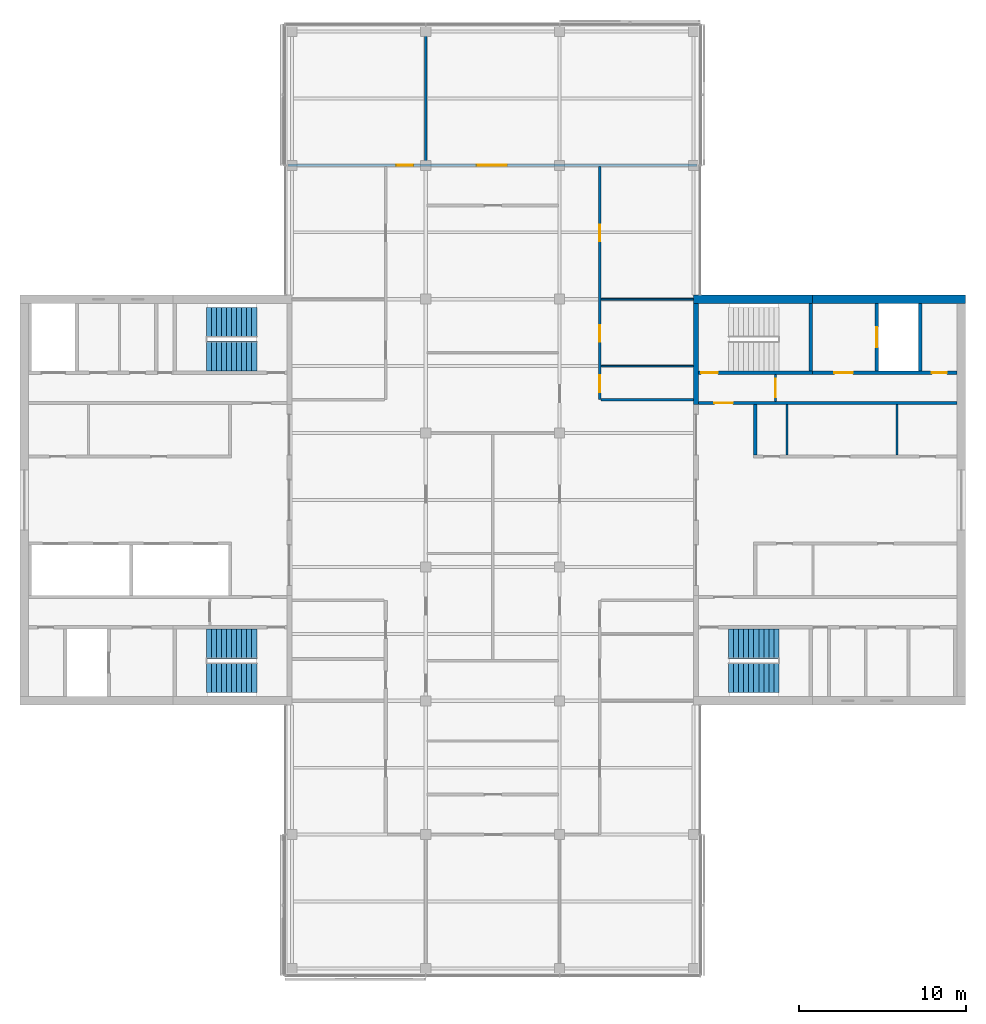
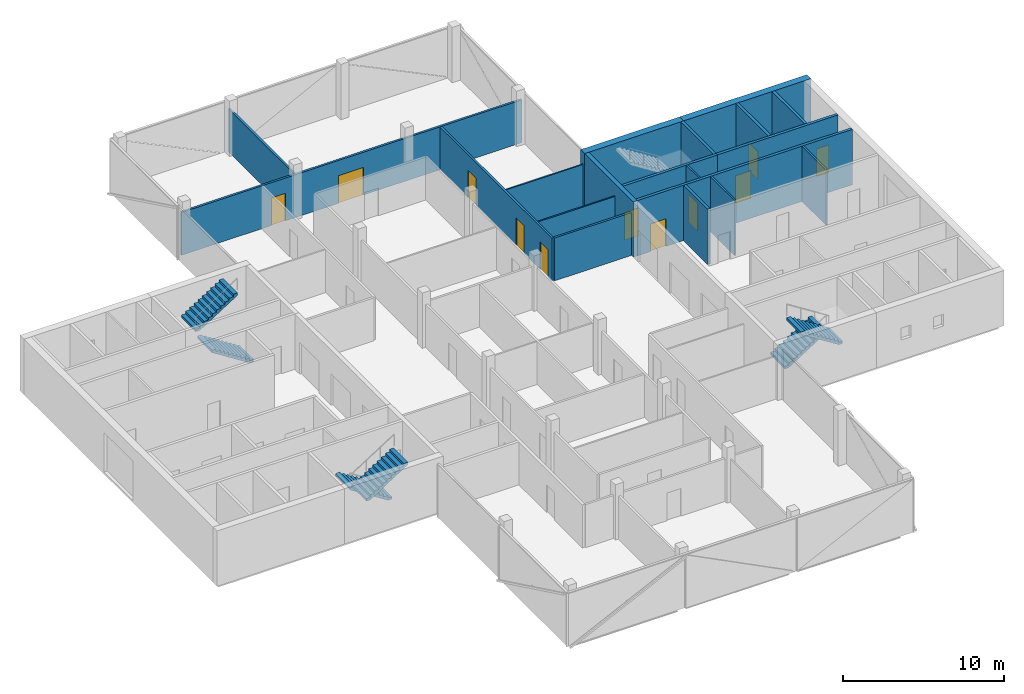
# One storey, part 12 of 16: 19 walls, 11 doors, 6 stair flights, 11 openings, 3 elements without a shape of their own.
"""IFC4 building model written with IfcOpenShell, lengths in metres."""

from ifc_helpers import new_model, si_unit, direction, frame, frame_2d, origin, place, context, subcontext, project, spatial, polyline, rectangle, outline, extrude, material, layer, layer_set, constituent, constituent_set, type_object, element, fill, aggregate, save


model = new_model("IFC4")

# Units and contexts
model_context = context("Model", 3, precision=1e-05, world=origin(), true_north=direction((0.0, 1.0)))
body_context = subcontext(model_context, "Body", "Model", "MODEL_VIEW")
ifc_project = project(units=[si_unit("LENGTHUNIT", "METRE"), si_unit("AREAUNIT", "SQUARE_METRE"), si_unit("VOLUMEUNIT", "CUBIC_METRE"), si_unit("PLANEANGLEUNIT", "RADIAN"), si_unit("MASSUNIT", "GRAM", prefix="KILO")], contexts=[model_context])

# Site, building, storey
site_placement = place(None, origin())
site = spatial("IfcSite", under=ifc_project, at=site_placement, CompositionType="ELEMENT")
building_placement = place(site_placement, origin())
building = spatial("IfcBuilding", under=site, at=building_placement, Name="Crosswind Convention Tower", CompositionType="ELEMENT")
storey_placement = place(building_placement, frame((0.0, 0.0, 299.699951171875)))
storey = spatial("IfcBuildingStorey", under=building, at=storey_placement, Name="L65", CompositionType="ELEMENT", Elevation=299.699951171875)

# Walls
ifc_material_1 = material(Name="Concrete C50/60", Category="concrete")
ifc_layer_1 = layer(ifc_material_1, 0.300048828125)
ifc_layer_set_1 = layer_set([ifc_layer_1], Name="Concrete C50/60")
wall_type_1 = type_object("IfcWallType", Name="Concrete inner core wall 300", PredefinedType="SHEAR", material=ifc_layer_set_1)
wall_1_placement = place(storey_placement, frame((137.14990234375, 105.699951171875, 0.0), z_axis=(0.0, 0.0, 1.0), x_axis=(0.0, 1.0, 0.0)))
element("IfcWall", 1, at=wall_1_placement, inside=storey, type_object=wall_type_1, Name="Wall EP E L65", PredefinedType="SHEAR", context=body_context, shape_type="SweptSolid", body=[
    extrude(rectangle(XDim=6.050048828125, YDim=0.300048828125, at=frame_2d((3.02490234375, 0.0))), origin(), (0.0, 0.0, 1.0), 4.199951171875),
])
ifc_layer_2 = layer(ifc_material_1, 0.199951171875)
ifc_layer_set_2 = layer_set([ifc_layer_2], Name="Concrete C50/60")
wall_type_2 = type_object("IfcWallType", Name="Concrete shaft and stair wall 200", PredefinedType="SHEAR", material=ifc_layer_set_2)
wall_2_placement = place(storey_placement, frame((140.699951171875, 102.699951171875, 0.0), z_axis=(0.0, 0.0, 1.0), x_axis=(0.0, 1.0, 0.0)))
element("IfcWall", 2, at=wall_2_placement, inside=storey, type_object=wall_type_2, Name="Wall RPEND E L65", PredefinedType="SHEAR", context=body_context, shape_type="SweptSolid", body=[
    extrude(rectangle(XDim=3.0, YDim=0.199951171875, at=frame_2d((1.5, 0.0))), origin(), (0.0, 0.0, 1.0), 4.199951171875),
])

# Wall, opening, door
wall_3_placement = place(storey_placement, frame((137.300048828125, 105.800048828125, 0.0), z_axis=(0.0, 0.0, 1.0), x_axis=(1.0, 0.0, 0.0)))
wall_3 = element("IfcWall", 3, at=wall_3_placement, inside=storey, type_object=wall_type_2, Name="Wall HP E L65", PredefinedType="SHEAR", context=body_context, shape_type="SweptSolid", body=[
    extrude(rectangle(XDim=15.449951171875, YDim=0.199951171875, at=frame_2d((7.72509765625, 0.0))), origin(), (0.0, 0.0, 1.0), 4.199951171875),
])
opening_1_placement = place(wall_3_placement, frame((0.949951171875, 0.0, 0.0)))
opening_1 = element("IfcOpeningElement", 4, at=opening_1_placement, cuts=wall_3, Name="Opening D104", PredefinedType="OPENING", context=body_context, shape_type="SweptSolid", body=[
    extrude(rectangle(XDim=1.10009765625, YDim=2.10009765625, at=frame_2d((0.550048828125, 1.050048828125))), frame((0.0, 0.10986328125, 0.0), z_axis=(0.0, -1.0, 0.0), x_axis=(1.0, 0.0, 0.0)), (0.0, 0.0, 1.0), 0.219970703125),
])
ifc_material_2 = material(Name="Steel fire door", Category="steel")
door_type_1 = type_object("IfcDoorType", Name="Fire-rated single door 1100x2100", OperationType="NOTDEFINED", PredefinedType="DOOR", material=ifc_material_2)
door_1_placement = place(opening_1_placement, origin())
door_1 = element("IfcDoor", 5, at=door_1_placement, inside=storey, type_object=door_type_1, Name="Corridor door L65", ObjectType="D104", OperationType="SINGLE_SWING_LEFT", OverallHeight=2.10009765625, OverallWidth=1.10009765625, PredefinedType="DOOR", context=body_context, shape_type="SweptSolid", body=[
    extrude(rectangle(XDim=1.10009765625, YDim=2.10009765625, at=frame_2d((0.550048828125, 1.050048828125))), frame((0.0, 0.02490234375, 0.0), z_axis=(0.0, -1.0, 0.0), x_axis=(1.0, 0.0, 0.0)), (0.0, 0.0, 1.0), 0.050048828125),
])
fill(opening_1, door_1)

# Wall
wall_4_placement = place(storey_placement, frame((144.0, 107.699951171875, 0.0), z_axis=(0.0, 0.0, 1.0), x_axis=(0.0, 1.0, 0.0)))
element("IfcWall", 6, at=wall_4_placement, inside=storey, type_object=wall_type_2, Name="Wall PSE E L65", PredefinedType="SHEAR", context=body_context, shape_type="SweptSolid", body=[
    extrude(rectangle(XDim=4.050048828125, YDim=0.199951171875, at=frame_2d((2.02490234375, 0.0))), origin(), (0.0, 0.0, 1.0), 4.199951171875),
])

# Wall, opening, door
wall_5_placement = place(storey_placement, frame((147.949951171875, 107.699951171875, 0.0), z_axis=(0.0, 0.0, 1.0), x_axis=(0.0, 1.0, 0.0)))
wall_5 = element("IfcWall", 7, at=wall_5_placement, inside=storey, type_object=wall_type_2, Name="Wall PFLW E L65", PredefinedType="SHEAR", context=body_context, shape_type="SweptSolid", body=[
    extrude(rectangle(XDim=4.050048828125, YDim=0.199951171875, at=frame_2d((2.02490234375, 0.0))), origin(), (0.0, 0.0, 1.0), 4.199951171875),
])
opening_2_placement = place(wall_5_placement, frame((1.425048828125, 0.0, 0.0)))
opening_2 = element("IfcOpeningElement", 8, at=opening_2_placement, cuts=wall_5, Name="Opening LD1", PredefinedType="OPENING", context=body_context, shape_type="SweptSolid", body=[
    extrude(rectangle(XDim=1.199951171875, YDim=2.10009765625, at=frame_2d((0.60009765625, 1.050048828125))), frame((0.0, 0.10986328125, 0.0), z_axis=(0.0, -1.0, 0.0), x_axis=(1.0, 0.0, 0.0)), (0.0, 0.0, 1.0), 0.219970703125),
])
ifc_material_3 = material(Name="Stainless steel", Category="steel")
door_type_2 = type_object("IfcDoorType", Name="Lift landing door 1200x2100", OperationType="DOUBLE_DOOR_SLIDING", PredefinedType="DOOR", material=ifc_material_3)
door_2_placement = place(opening_2_placement, origin())
door_2 = element("IfcDoor", 9, at=door_2_placement, inside=storey, type_object=door_type_2, Name="Landing door FF1 L65", ObjectType="LD1", OperationType="DOUBLE_DOOR_SLIDING", OverallHeight=2.10009765625, OverallWidth=1.199951171875, PredefinedType="DOOR", context=body_context, shape_type="SweptSolid", body=[
    extrude(rectangle(XDim=1.199951171875, YDim=2.10009765625, at=frame_2d((0.60009765625, 1.050048828125))), frame((0.0, 0.02490234375, 0.0), z_axis=(0.0, -1.0, 0.0), x_axis=(1.0, 0.0, 0.0)), (0.0, 0.0, 1.0), 0.050048828125),
])
fill(opening_2, door_2)

# Wall
wall_6_placement = place(storey_placement, frame((150.550048828125, 107.699951171875, 0.0), z_axis=(0.0, 0.0, 1.0), x_axis=(0.0, 1.0, 0.0)))
element("IfcWall", 10, at=wall_6_placement, inside=storey, type_object=wall_type_2, Name="Wall PFSE E L65", PredefinedType="SHEAR", context=body_context, shape_type="SweptSolid", body=[
    extrude(rectangle(XDim=4.050048828125, YDim=0.199951171875, at=frame_2d((2.02490234375, 0.0))), origin(), (0.0, 0.0, 1.0), 4.199951171875),
])

# Wall, opening, door
wall_7_placement = place(storey_placement, frame((137.300048828125, 107.60009765625, 0.0), z_axis=(0.0, 0.0, 1.0), x_axis=(1.0, 0.0, 0.0)))
wall_7 = element("IfcWall", 11, at=wall_7_placement, inside=storey, type_object=wall_type_2, Name="Wall PCW E L65", PredefinedType="SHEAR", context=body_context, shape_type="SweptSolid", body=[
    extrude(rectangle(XDim=6.800048828125, YDim=0.199951171875, at=frame_2d((3.39990234375, 0.0))), origin(), (0.0, 0.0, 1.0), 4.199951171875),
])
opening_3_placement = place(wall_7_placement, frame((0.14990234375, 0.0, 0.0)))
opening_3 = element("IfcOpeningElement", 12, at=opening_3_placement, cuts=wall_7, Name="Opening D103", PredefinedType="OPENING", context=body_context, shape_type="SweptSolid", body=[
    extrude(rectangle(XDim=1.0, YDim=2.10009765625, at=frame_2d((0.5, 1.050048828125))), frame((0.0, 0.10986328125, 0.0), z_axis=(0.0, -1.0, 0.0), x_axis=(1.0, 0.0, 0.0)), (0.0, 0.0, 1.0), 0.219970703125),
])
door_type_3 = type_object("IfcDoorType", Name="Fire-rated single door 1000x2100", OperationType="NOTDEFINED", PredefinedType="DOOR", material=ifc_material_2)
door_3_placement = place(opening_3_placement, origin())
door_3 = element("IfcDoor", 13, at=door_3_placement, inside=storey, type_object=door_type_3, Name="Stair ST1 door L65", ObjectType="D103", OperationType="SINGLE_SWING_LEFT", OverallHeight=2.10009765625, OverallWidth=1.0, PredefinedType="DOOR", context=body_context, shape_type="SweptSolid", body=[
    extrude(rectangle(XDim=1.0, YDim=2.10009765625, at=frame_2d((0.5, 1.050048828125))), frame((0.0, 0.02490234375, 0.0), z_axis=(0.0, -1.0, 0.0), x_axis=(1.0, 0.0, 0.0)), (0.0, 0.0, 1.0), 0.050048828125),
])
fill(opening_3, door_3)

# Wall, openings, doors
wall_8_placement = place(storey_placement, frame((144.10009765625, 107.60009765625, 0.0), z_axis=(0.0, 0.0, 1.0), x_axis=(1.0, 0.0, 0.0)))
wall_8 = element("IfcWall", 14, at=wall_8_placement, inside=storey, type_object=wall_type_2, Name="Wall PCX E L65", PredefinedType="SHEAR", context=body_context, shape_type="SweptSolid", body=[
    extrude(rectangle(XDim=8.64990234375, YDim=0.199951171875, at=frame_2d((4.324951171875, 0.0))), origin(), (0.0, 0.0, 1.0), 4.199951171875),
])
opening_4_placement = place(wall_8_placement, frame((1.324951171875, 0.0, 0.0)))
opening_4 = element("IfcOpeningElement", 15, at=opening_4_placement, cuts=wall_8, Name="Opening D104", PredefinedType="OPENING", context=body_context, shape_type="SweptSolid", body=[
    extrude(rectangle(XDim=1.10009765625, YDim=2.10009765625, at=frame_2d((0.550048828125, 1.050048828125))), frame((0.0, 0.10986328125, 0.0), z_axis=(0.0, -1.0, 0.0), x_axis=(1.0, 0.0, 0.0)), (0.0, 0.0, 1.0), 0.219970703125),
])
opening_5_placement = place(wall_8_placement, frame((7.14990234375, 0.0, 0.0)))
opening_5 = element("IfcOpeningElement", 16, at=opening_5_placement, cuts=wall_8, Name="Opening D106", PredefinedType="OPENING", context=body_context, shape_type="SweptSolid", body=[
    extrude(rectangle(XDim=0.89990234375, YDim=2.10009765625, at=frame_2d((0.449951171875, 1.050048828125))), frame((0.0, 0.10986328125, 0.0), z_axis=(0.0, -1.0, 0.0), x_axis=(1.0, 0.0, 0.0)), (0.0, 0.0, 1.0), 0.219970703125),
])
door_4_placement = place(opening_4_placement, origin())
door_4 = element("IfcDoor", 17, at=door_4_placement, inside=storey, type_object=door_type_1, Name="Fire-fighting lobby FF1 door L65", ObjectType="D104", OperationType="SINGLE_SWING_RIGHT", OverallHeight=2.10009765625, OverallWidth=1.10009765625, PredefinedType="DOOR", context=body_context, shape_type="SweptSolid", body=[
    extrude(rectangle(XDim=1.10009765625, YDim=2.10009765625, at=frame_2d((0.550048828125, 1.050048828125))), frame((0.0, 0.02490234375, 0.0), z_axis=(0.0, -1.0, 0.0), x_axis=(1.0, 0.0, 0.0)), (0.0, 0.0, 1.0), 0.050048828125),
])
fill(opening_4, door_4)
ifc_material_4 = material(Name="Timber door", Category="wood")
door_type_4 = type_object("IfcDoorType", Name="Single leaf door 900x2100", OperationType="NOTDEFINED", PredefinedType="DOOR", material=ifc_material_4)
door_5_placement = place(opening_5_placement, origin())
door_5 = element("IfcDoor", 18, at=door_5_placement, inside=storey, type_object=door_type_4, Name="Door to cleaners' store L65", ObjectType="D106", OperationType="SINGLE_SWING_RIGHT", OverallHeight=2.10009765625, OverallWidth=0.89990234375, PredefinedType="DOOR", context=body_context, shape_type="SweptSolid", body=[
    extrude(rectangle(XDim=0.89990234375, YDim=2.10009765625, at=frame_2d((0.449951171875, 1.050048828125))), frame((0.0, 0.02490234375, 0.0), z_axis=(0.0, -1.0, 0.0), x_axis=(1.0, 0.0, 0.0)), (0.0, 0.0, 1.0), 0.050048828125),
])
fill(opening_5, door_5)

# Walls
ifc_material_5 = material(Name="Gypsum plasterboard partition", Category="gypsum")
ifc_layer_3 = layer(ifc_material_5, 0.125)
ifc_layer_set_3 = layer_set([ifc_layer_3], Name="Drywall partition wall 125")
wall_type_3 = type_object("IfcWallType", Name="Drywall partition wall 125", PredefinedType="PARTITIONING", material=ifc_layer_set_3)
for number, where, z_axis, x_axis, name in (
    (19, (142.592529296875, 102.699951171875, 0.0), (0.0, 0.0, 1.0), (0.0, 1.0, 0.0), "Wall RPP1 E L65"),
    (20, (149.1650390625, 102.699951171875, 0.0), (0.0, 0.0, 1.0), (0.0, 1.0, 0.0), "Wall RPP2 E L65"),
):
    element("IfcWall", number, at=place(storey_placement, frame(where, z_axis=z_axis, x_axis=x_axis)), inside=storey, type_object=wall_type_3, Name=name, PredefinedType="PARTITIONING", context=body_context, shape_type="SweptSolid", body=[
        extrude(rectangle(XDim=3.0, YDim=0.125, at=frame_2d((1.5, 0.0))), origin(), (0.0, 0.0, 1.0), 4.199951171875),
    ])

# Wall, opening, door
wall_9_placement = place(storey_placement, frame((141.89990234375, 105.89990234375, 0.0), z_axis=(0.0, 0.0, 1.0), x_axis=(0.0, 1.0, 0.0)))
wall_9 = element("IfcWall", 21, at=wall_9_placement, inside=storey, type_object=wall_type_3, Name="Wall PXC1 E L65", PredefinedType="PARTITIONING", context=body_context, shape_type="SweptSolid", body=[
    extrude(rectangle(XDim=1.60009765625, YDim=0.125, at=frame_2d((0.800048828125, 0.0))), origin(), (0.0, 0.0, 1.0), 4.199951171875),
])
opening_6_placement = place(wall_9_placement, frame((0.25, 0.0, 0.0)))
opening_6 = element("IfcOpeningElement", 22, at=opening_6_placement, cuts=wall_9, Name="Opening D104", PredefinedType="OPENING", context=body_context, shape_type="SweptSolid", body=[
    extrude(rectangle(XDim=1.10009765625, YDim=2.10009765625, at=frame_2d((0.550048828125, 1.050048828125))), frame((0.0, 0.072509765625, 0.0), z_axis=(0.0, -1.0, 0.0), x_axis=(1.0, 0.0, 0.0)), (0.0, 0.0, 1.0), 0.14501953125),
])
door_6_placement = place(opening_6_placement, origin())
door_6 = element("IfcDoor", 23, at=door_6_placement, inside=storey, type_object=door_type_1, Name="Corridor smoke door L65", ObjectType="D104", OperationType="SINGLE_SWING_RIGHT", OverallHeight=2.10009765625, OverallWidth=1.10009765625, PredefinedType="DOOR", context=body_context, shape_type="SweptSolid", body=[
    extrude(rectangle(XDim=1.10009765625, YDim=2.10009765625, at=frame_2d((0.550048828125, 1.050048828125))), frame((0.0, 0.02490234375, 0.0), z_axis=(0.0, -1.0, 0.0), x_axis=(1.0, 0.0, 0.0)), (0.0, 0.0, 1.0), 0.050048828125),
])
fill(opening_6, door_6)

# Walls
ifc_material_6 = material(Name="Plasterboard partition", Category="gypsum")
ifc_layer_4 = layer(ifc_material_6, 0.10009765625)
ifc_layer_set_4 = layer_set([ifc_layer_4], Name="PARTITION 100 METAL STUD")
wall_type_4 = type_object("IfcWallType", Name="PARTITION 100 METAL STUD", PredefinedType="PARTITIONING", material=ifc_layer_set_4)
for number, where, z_axis, x_axis, name in (
    (24, (131.47509765625, 108.0, 0.0), (0.0, 0.0, 1.0), (1.0, 0.0, 0.0), "Partition wall WT40"),
    (25, (131.47509765625, 112.0, 0.0), (0.0, 0.0, 1.0), (1.0, 0.0, 0.0), "Partition wall WT40"),
):
    element("IfcWall", number, at=place(storey_placement, frame(where, z_axis=z_axis, x_axis=x_axis)), inside=storey, type_object=wall_type_4, Name=name, PredefinedType="PARTITIONING", context=body_context, shape_type="SweptSolid", body=[
        extrude(rectangle(XDim=5.52490234375, YDim=0.10009765625, at=frame_2d((2.762451171875, 0.0))), origin(), (0.0, 0.0, 1.0), 3.25537109375),
    ])
ifc_material_7 = material(Name="Fire-board partition with mineral wool", Category="gypsum")
ifc_layer_5 = layer(ifc_material_7, 0.14990234375)
ifc_layer_set_5 = layer_set([ifc_layer_5], Name="TENANCY WALL 150 TWO-HOUR BOARD")
wall_type_5 = type_object("IfcWallType", Name="TENANCY WALL 150 TWO-HOUR BOARD", PredefinedType="PARTITIONING", material=ifc_layer_set_5)
wall_10_placement = place(storey_placement, frame((121.0, 120.074951171875, 0.0), z_axis=(0.0, 0.0, 1.0), x_axis=(0.0, 1.0, 0.0)))
element("IfcWall", 26, at=wall_10_placement, inside=storey, type_object=wall_type_5, Name="Tenancy wall WT41", PredefinedType="PARTITIONING", context=body_context, shape_type="SweptSolid", body=[
    extrude(rectangle(XDim=8.14501953125, YDim=0.14990234375, at=frame_2d((4.072509765625, 0.0))), origin(), (0.0, 0.0, 1.0), 3.25537109375),
])

# Wall, openings, doors
wall_11_placement = place(storey_placement, frame((131.39990234375, 106.0, 0.0), z_axis=(0.0, 0.0, 1.0), x_axis=(0.0, 1.0, 0.0)))
wall_11 = element("IfcWall", 27, at=wall_11_placement, inside=storey, type_object=wall_type_5, Name="Tenancy wall WT41", PredefinedType="PARTITIONING", context=body_context, shape_type="SweptSolid", body=[
    extrude(rectangle(XDim=13.925048828125, YDim=0.14990234375, at=frame_2d((6.96240234375, 0.0))), origin(), (0.0, 0.0, 1.0), 3.25537109375),
])
opening_7_placement = place(wall_11_placement, frame((0.449951171875, 0.0, 0.0)))
opening_7 = element("IfcOpeningElement", 28, at=opening_7_placement, cuts=wall_11, Name="Opening L65-50", PredefinedType="OPENING", context=body_context, shape_type="SweptSolid", body=[
    extrude(rectangle(XDim=1.0, YDim=2.10009765625, at=frame_2d((0.5, 1.050048828125))), frame((0.0, 0.0849609375, 0.0), z_axis=(0.0, -1.0, 0.0), x_axis=(1.0, 0.0, 0.0)), (0.0, 0.0, 1.0), 0.169921875),
])
opening_8_placement = place(wall_11_placement, frame((3.449951171875, 0.0, 0.0)))
opening_8 = element("IfcOpeningElement", 29, at=opening_8_placement, cuts=wall_11, Name="Opening L65-51", PredefinedType="OPENING", context=body_context, shape_type="SweptSolid", body=[
    extrude(rectangle(XDim=1.0, YDim=2.10009765625, at=frame_2d((0.5, 1.050048828125))), frame((0.0, 0.0849609375, 0.0), z_axis=(0.0, -1.0, 0.0), x_axis=(1.0, 0.0, 0.0)), (0.0, 0.0, 1.0), 0.169921875),
])
opening_9_placement = place(wall_11_placement, frame((9.449951171875, 0.0, 0.0)))
opening_9 = element("IfcOpeningElement", 30, at=opening_9_placement, cuts=wall_11, Name="Opening L65-52", PredefinedType="OPENING", context=body_context, shape_type="SweptSolid", body=[
    extrude(rectangle(XDim=1.0, YDim=2.10009765625, at=frame_2d((0.5, 1.050048828125))), frame((0.0, 0.0849609375, 0.0), z_axis=(0.0, -1.0, 0.0), x_axis=(1.0, 0.0, 0.0)), (0.0, 0.0, 1.0), 0.169921875),
])
ifc_material_8 = material(Name="Timber fire door", Category="wood")
door_type_5 = type_object("IfcDoorType", Name="TENANCY ENTRANCE DOOR 1000X2100 FD30S", OperationType="NOTDEFINED", PredefinedType="DOOR", material=ifc_material_8)
door_7_placement = place(opening_7_placement, frame((1.0, 0.0, 0.0), z_axis=(0.0, 0.0, 1.0), x_axis=(-1.0, 0.0, 0.0)))
door_7 = element("IfcDoor", 31, at=door_7_placement, inside=storey, type_object=door_type_5, Name="Door L65-50", ObjectType="D41", OperationType="SINGLE_SWING_RIGHT", OverallHeight=2.10009765625, OverallWidth=1.0, PredefinedType="DOOR", context=body_context, shape_type="SweptSolid", body=[
    extrude(rectangle(XDim=1.0, YDim=2.10009765625, at=frame_2d((0.5, 1.050048828125))), frame((0.0, 0.02490234375, 0.0), z_axis=(0.0, -1.0, 0.0), x_axis=(1.0, 0.0, 0.0)), (0.0, 0.0, 1.0), 0.050048828125),
])
fill(opening_7, door_7)
door_8_placement = place(opening_8_placement, frame((1.0, 0.0, 0.0), z_axis=(0.0, 0.0, 1.0), x_axis=(-1.0, 0.0, 0.0)))
door_8 = element("IfcDoor", 32, at=door_8_placement, inside=storey, type_object=door_type_5, Name="Door L65-51", ObjectType="D41", OperationType="SINGLE_SWING_RIGHT", OverallHeight=2.10009765625, OverallWidth=1.0, PredefinedType="DOOR", context=body_context, shape_type="SweptSolid", body=[
    extrude(rectangle(XDim=1.0, YDim=2.10009765625, at=frame_2d((0.5, 1.050048828125))), frame((0.0, 0.02490234375, 0.0), z_axis=(0.0, -1.0, 0.0), x_axis=(1.0, 0.0, 0.0)), (0.0, 0.0, 1.0), 0.050048828125),
])
fill(opening_8, door_8)
door_9_placement = place(opening_9_placement, frame((1.0, 0.0, 0.0), z_axis=(0.0, 0.0, 1.0), x_axis=(-1.0, 0.0, 0.0)))
door_9 = element("IfcDoor", 33, at=door_9_placement, inside=storey, type_object=door_type_5, Name="Door L65-52", ObjectType="D41", OperationType="SINGLE_SWING_RIGHT", OverallHeight=2.10009765625, OverallWidth=1.0, PredefinedType="DOOR", context=body_context, shape_type="SweptSolid", body=[
    extrude(rectangle(XDim=1.0, YDim=2.10009765625, at=frame_2d((0.5, 1.050048828125))), frame((0.0, 0.02490234375, 0.0), z_axis=(0.0, -1.0, 0.0), x_axis=(1.0, 0.0, 0.0)), (0.0, 0.0, 1.0), 0.050048828125),
])
fill(opening_9, door_9)

# Wall
wall_12_placement = place(storey_placement, frame((131.47509765625, 106.0, 0.0), z_axis=(0.0, 0.0, 1.0), x_axis=(1.0, 0.0, 0.0)))
element("IfcWall", 34, at=wall_12_placement, inside=storey, type_object=wall_type_5, Name="Tenancy wall WT41", PredefinedType="PARTITIONING", context=body_context, shape_type="SweptSolid", body=[
    extrude(rectangle(XDim=5.52490234375, YDim=0.14990234375, at=frame_2d((2.762451171875, 0.0))), origin(), (0.0, 0.0, 1.0), 3.25537109375),
])

# Wall, openings, doors
wall_13_placement = place(storey_placement, frame((112.780029296875, 120.0, 0.0), z_axis=(0.0, 0.0, 1.0), x_axis=(1.0, 0.0, 0.0)))
wall_13 = element("IfcWall", 35, at=wall_13_placement, inside=storey, type_object=wall_type_5, Name="Tenancy wall WT41", PredefinedType="PARTITIONING", context=body_context, shape_type="SweptSolid", body=[
    extrude(rectangle(XDim=24.43994140625, YDim=0.14990234375, at=frame_2d((12.219970703125, 0.0))), origin(), (0.0, 0.0, 1.0), 3.25537109375),
])
opening_10_placement = place(wall_13_placement, frame((6.469970703125, 0.0, 0.0)))
opening_10 = element("IfcOpeningElement", 36, at=opening_10_placement, cuts=wall_13, Name="Opening L65-61", PredefinedType="OPENING", context=body_context, shape_type="SweptSolid", body=[
    extrude(rectangle(XDim=1.0, YDim=2.10009765625, at=frame_2d((0.5, 1.050048828125))), frame((0.0, 0.0849609375, 0.0), z_axis=(0.0, -1.0, 0.0), x_axis=(1.0, 0.0, 0.0)), (0.0, 0.0, 1.0), 0.169921875),
])
opening_11_placement = place(wall_13_placement, frame((11.27001953125, 0.0, 0.0)))
opening_11 = element("IfcOpeningElement", 37, at=opening_11_placement, cuts=wall_13, Name="Opening L65-62", PredefinedType="OPENING", context=body_context, shape_type="SweptSolid", body=[
    extrude(rectangle(XDim=1.800048828125, YDim=2.10009765625, at=frame_2d((0.89990234375, 1.050048828125))), frame((0.0, 0.0849609375, 0.0), z_axis=(0.0, -1.0, 0.0), x_axis=(1.0, 0.0, 0.0)), (0.0, 0.0, 1.0), 0.169921875),
])
door_10_placement = place(opening_10_placement, origin())
door_10 = element("IfcDoor", 38, at=door_10_placement, inside=storey, type_object=door_type_5, Name="Door L65-61", ObjectType="D41", OperationType="SINGLE_SWING_RIGHT", OverallHeight=2.10009765625, OverallWidth=1.0, PredefinedType="DOOR", context=body_context, shape_type="SweptSolid", body=[
    extrude(rectangle(XDim=1.0, YDim=2.10009765625, at=frame_2d((0.5, 1.050048828125))), frame((0.0, 0.02490234375, 0.0), z_axis=(0.0, -1.0, 0.0), x_axis=(1.0, 0.0, 0.0)), (0.0, 0.0, 1.0), 0.050048828125),
])
fill(opening_10, door_10)
door_type_6 = type_object("IfcDoorType", Name="TENANCY ENTRANCE DOUBLE DOOR 1800X2100 FD30S", OperationType="DOUBLE_DOOR_SINGLE_SWING", PredefinedType="DOOR", material=ifc_material_8)
door_11_placement = place(opening_11_placement, origin())
door_11 = element("IfcDoor", 39, at=door_11_placement, inside=storey, type_object=door_type_6, Name="Door L65-62", ObjectType="D42", OperationType="DOUBLE_DOOR_SINGLE_SWING", OverallHeight=2.10009765625, OverallWidth=1.800048828125, PredefinedType="DOOR", context=body_context, shape_type="SweptSolid", body=[
    extrude(rectangle(XDim=1.800048828125, YDim=2.10009765625, at=frame_2d((0.89990234375, 1.050048828125))), frame((0.0, 0.02490234375, 0.0), z_axis=(0.0, -1.0, 0.0), x_axis=(1.0, 0.0, 0.0)), (0.0, 0.0, 1.0), 0.050048828125),
])
fill(opening_11, door_11)

# Walls
ifc_material_9 = material(Name="Concrete C60/75", Category="concrete")
ifc_constituent_1 = constituent(ifc_material_9, Name="Structure")
ifc_material_10 = material(Name="Terracotta rainscreen", Category="ceramic")
ifc_constituent_2 = constituent(ifc_material_10, Name="Facing")
ifc_constituent_set = constituent_set(constituents=[ifc_constituent_1, ifc_constituent_2], Name="Concrete C60/75, Terracotta rainscreen")
wall_type_6 = type_object("IfcWallType", Name="Terracotta rainscreen on concrete core wall 500", PredefinedType="SHEAR", material=ifc_constituent_set)
wall_14_placement = place(storey_placement, frame((137.0, 112.0, 0.0), z_axis=(0.0, 0.0, 1.0), x_axis=(1.0, 0.0, 0.0)))
element("IfcWall", 40, at=wall_14_placement, inside=storey, type_object=wall_type_6, Name="Wall N1 E L65", PredefinedType="SHEAR", context=body_context, shape_type="SweptSolid", body=[
    extrude(rectangle(XDim=7.10009765625, YDim=0.5, at=frame_2d((3.550048828125, 0.0))), origin(), (0.0, 0.0, 1.0), 4.199951171875),
])
wall_15_placement = place(storey_placement, frame((144.10009765625, 112.0, 0.0), z_axis=(0.0, 0.0, 1.0), x_axis=(1.0, 0.0, 0.0)))
element("IfcWall", 41, at=wall_15_placement, inside=storey, type_object=wall_type_6, Name="Wall N2 E L65", PredefinedType="SHEAR", context=body_context, shape_type="SweptSolid", body=[
    extrude(rectangle(XDim=9.14990234375, YDim=0.5, at=frame_2d((4.574951171875, 0.0))), origin(), (0.0, 0.0, 1.0), 4.199951171875),
])

# Stair, stair flights
ifc_material_11 = material(Name="Concrete C40/50", Category="concrete")
stair_type = type_object("IfcStairType", Name="Exit stair 1800 wide, 2 flights of 11 risers", PredefinedType="HALF_TURN_STAIR", material=ifc_material_11)
stair_1_placement = place(storey_placement, origin())
stair_1 = element("IfcStair", 42, at=stair_1_placement, inside=storey, type_object=stair_type, Name="Exit stair ST2 L65", ObjectType="ST5", PredefinedType="HALF_TURN_STAIR")
stair_flight_type = type_object("IfcStairFlightType", Name="Stair flight 1800 wide, 11 risers (SF4)", PredefinedType="STRAIGHT", material=ifc_material_11)
stair_flight_1_placement = place(storey_placement, frame((139.10009765625, 91.39990234375, 0.0), z_axis=(0.0, 0.0, 1.0), x_axis=(1.0, 0.0, 0.0)))
stair_flight_1 = element("IfcStairFlight", 43, at=stair_flight_1_placement, type_object=stair_flight_type, Name="ST2 flight 1", NumberOfRisers=11, NumberOfTreads=10, PredefinedType="STRAIGHT", RiserHeight=0.190909091, TreadLength=0.3, context=body_context, shape_type="SweptSolid", body=[
    extrude(outline(polyline([(0.0, 0.0), (0.0, 0.19091796875), (0.300048828125, 0.19091796875), (0.300048828125, 0.3818359375), (0.60009765625, 0.3818359375), (0.60009765625, 0.57275390625), (0.89990234375, 0.57275390625), (0.89990234375, 0.763671875), (1.199951171875, 0.763671875), (1.199951171875, 0.95458984375), (1.5, 0.95458984375), (1.5, 1.1455078125), (1.800048828125, 1.1455078125), (1.800048828125, 1.33642578125), (2.10009765625, 1.33642578125), (2.10009765625, 1.52734375), (2.39990234375, 1.52734375), (2.39990234375, 1.71826171875), (2.699951171875, 1.71826171875), (2.699951171875, 1.9091796875), (3.0, 1.9091796875), (3.0, 2.10009765625), (3.0, 1.7314453125), (0.279296875, 0.0), (0.0, 0.0)])), frame((0.0, 0.89990234375, 0.0), z_axis=(0.0, -1.0, 0.0), x_axis=(1.0, 0.0, 0.0)), (0.0, 0.0, 1.0), 1.800048828125),
])
stair_flight_2_placement = place(storey_placement, frame((142.10009765625, 89.39990234375, 2.10009765625), z_axis=(0.0, 0.0, 1.0), x_axis=(-1.0, 0.0, 0.0)))
stair_flight_2 = element("IfcStairFlight", 44, at=stair_flight_2_placement, type_object=stair_flight_type, Name="ST2 flight 2", NumberOfRisers=11, NumberOfTreads=10, PredefinedType="STRAIGHT", RiserHeight=0.190909091, TreadLength=0.3, context=body_context, shape_type="SweptSolid", body=[
    extrude(outline(polyline([(0.0, 0.0), (0.0, 0.19091796875), (0.300048828125, 0.19091796875), (0.300048828125, 0.3818359375), (0.60009765625, 0.3818359375), (0.60009765625, 0.57275390625), (0.89990234375, 0.57275390625), (0.89990234375, 0.763671875), (1.199951171875, 0.763671875), (1.199951171875, 0.95458984375), (1.5, 0.95458984375), (1.5, 1.1455078125), (1.800048828125, 1.1455078125), (1.800048828125, 1.33642578125), (2.10009765625, 1.33642578125), (2.10009765625, 1.52734375), (2.39990234375, 1.52734375), (2.39990234375, 1.71826171875), (2.699951171875, 1.71826171875), (2.699951171875, 1.9091796875), (3.0, 1.9091796875), (3.0, 2.10009765625), (3.0, 1.7314453125), (0.279296875, 0.0), (0.0, 0.0)])), frame((0.0, 0.89990234375, 0.0), z_axis=(0.0, -1.0, 0.0), x_axis=(1.0, 0.0, 0.0)), (0.0, 0.0, 1.0), 1.800048828125),
])
aggregate(stair_1, [stair_flight_1, stair_flight_2])

stair_2_placement = place(storey_placement, origin())
stair_2 = element("IfcStair", 45, at=stair_2_placement, inside=storey, type_object=stair_type, Name="Exit stair ST3 L65", ObjectType="ST5", PredefinedType="HALF_TURN_STAIR")
stair_flight_3_placement = place(storey_placement, frame((110.89990234375, 91.39990234375, 0.0), z_axis=(0.0, 0.0, 1.0), x_axis=(-1.0, 0.0, 0.0)))
stair_flight_3 = element("IfcStairFlight", 46, at=stair_flight_3_placement, type_object=stair_flight_type, Name="ST3 flight 1", NumberOfRisers=11, NumberOfTreads=10, PredefinedType="STRAIGHT", RiserHeight=0.190909091, TreadLength=0.3, context=body_context, shape_type="SweptSolid", body=[
    extrude(outline(polyline([(0.0, 0.0), (0.0, 0.19091796875), (0.300048828125, 0.19091796875), (0.300048828125, 0.3818359375), (0.60009765625, 0.3818359375), (0.60009765625, 0.57275390625), (0.89990234375, 0.57275390625), (0.89990234375, 0.763671875), (1.199951171875, 0.763671875), (1.199951171875, 0.95458984375), (1.5, 0.95458984375), (1.5, 1.1455078125), (1.800048828125, 1.1455078125), (1.800048828125, 1.33642578125), (2.10009765625, 1.33642578125), (2.10009765625, 1.52734375), (2.39990234375, 1.52734375), (2.39990234375, 1.71826171875), (2.699951171875, 1.71826171875), (2.699951171875, 1.9091796875), (3.0, 1.9091796875), (3.0, 2.10009765625), (3.0, 1.7314453125), (0.279296875, 0.0), (0.0, 0.0)])), frame((0.0, 0.89990234375, 0.0), z_axis=(0.0, -1.0, 0.0), x_axis=(1.0, 0.0, 0.0)), (0.0, 0.0, 1.0), 1.800048828125),
])
stair_flight_4_placement = place(storey_placement, frame((107.89990234375, 89.39990234375, 2.10009765625), z_axis=(0.0, 0.0, 1.0), x_axis=(1.0, 0.0, 0.0)))
stair_flight_4 = element("IfcStairFlight", 47, at=stair_flight_4_placement, type_object=stair_flight_type, Name="ST3 flight 2", NumberOfRisers=11, NumberOfTreads=10, PredefinedType="STRAIGHT", RiserHeight=0.190909091, TreadLength=0.3, context=body_context, shape_type="SweptSolid", body=[
    extrude(outline(polyline([(0.0, 0.0), (0.0, 0.19091796875), (0.300048828125, 0.19091796875), (0.300048828125, 0.3818359375), (0.60009765625, 0.3818359375), (0.60009765625, 0.57275390625), (0.89990234375, 0.57275390625), (0.89990234375, 0.763671875), (1.199951171875, 0.763671875), (1.199951171875, 0.95458984375), (1.5, 0.95458984375), (1.5, 1.1455078125), (1.800048828125, 1.1455078125), (1.800048828125, 1.33642578125), (2.10009765625, 1.33642578125), (2.10009765625, 1.52734375), (2.39990234375, 1.52734375), (2.39990234375, 1.71826171875), (2.699951171875, 1.71826171875), (2.699951171875, 1.9091796875), (3.0, 1.9091796875), (3.0, 2.10009765625), (3.0, 1.7314453125), (0.279296875, 0.0), (0.0, 0.0)])), frame((0.0, 0.89990234375, 0.0), z_axis=(0.0, -1.0, 0.0), x_axis=(1.0, 0.0, 0.0)), (0.0, 0.0, 1.0), 1.800048828125),
])
aggregate(stair_2, [stair_flight_3, stair_flight_4])

stair_3_placement = place(storey_placement, origin())
stair_3 = element("IfcStair", 48, at=stair_3_placement, inside=storey, type_object=stair_type, Name="Exit stair ST4 L65", ObjectType="ST5", PredefinedType="HALF_TURN_STAIR")
stair_flight_5_placement = place(storey_placement, frame((110.89990234375, 108.60009765625, 0.0), z_axis=(0.0, 0.0, 1.0), x_axis=(-1.0, 0.0, 0.0)))
stair_flight_5 = element("IfcStairFlight", 49, at=stair_flight_5_placement, type_object=stair_flight_type, Name="ST4 flight 1", NumberOfRisers=11, NumberOfTreads=10, PredefinedType="STRAIGHT", RiserHeight=0.190909091, TreadLength=0.3, context=body_context, shape_type="SweptSolid", body=[
    extrude(outline(polyline([(0.0, 0.0), (0.0, 0.19091796875), (0.300048828125, 0.19091796875), (0.300048828125, 0.3818359375), (0.60009765625, 0.3818359375), (0.60009765625, 0.57275390625), (0.89990234375, 0.57275390625), (0.89990234375, 0.763671875), (1.199951171875, 0.763671875), (1.199951171875, 0.95458984375), (1.5, 0.95458984375), (1.5, 1.1455078125), (1.800048828125, 1.1455078125), (1.800048828125, 1.33642578125), (2.10009765625, 1.33642578125), (2.10009765625, 1.52734375), (2.39990234375, 1.52734375), (2.39990234375, 1.71826171875), (2.699951171875, 1.71826171875), (2.699951171875, 1.9091796875), (3.0, 1.9091796875), (3.0, 2.10009765625), (3.0, 1.7314453125), (0.279296875, 0.0), (0.0, 0.0)])), frame((0.0, 0.89990234375, 0.0), z_axis=(0.0, -1.0, 0.0), x_axis=(1.0, 0.0, 0.0)), (0.0, 0.0, 1.0), 1.800048828125),
])
stair_flight_6_placement = place(storey_placement, frame((107.89990234375, 110.60009765625, 2.10009765625), z_axis=(0.0, 0.0, 1.0), x_axis=(1.0, 0.0, 0.0)))
stair_flight_6 = element("IfcStairFlight", 50, at=stair_flight_6_placement, type_object=stair_flight_type, Name="ST4 flight 2", NumberOfRisers=11, NumberOfTreads=10, PredefinedType="STRAIGHT", RiserHeight=0.190909091, TreadLength=0.3, context=body_context, shape_type="SweptSolid", body=[
    extrude(outline(polyline([(0.0, 0.0), (0.0, 0.19091796875), (0.300048828125, 0.19091796875), (0.300048828125, 0.3818359375), (0.60009765625, 0.3818359375), (0.60009765625, 0.57275390625), (0.89990234375, 0.57275390625), (0.89990234375, 0.763671875), (1.199951171875, 0.763671875), (1.199951171875, 0.95458984375), (1.5, 0.95458984375), (1.5, 1.1455078125), (1.800048828125, 1.1455078125), (1.800048828125, 1.33642578125), (2.10009765625, 1.33642578125), (2.10009765625, 1.52734375), (2.39990234375, 1.52734375), (2.39990234375, 1.71826171875), (2.699951171875, 1.71826171875), (2.699951171875, 1.9091796875), (3.0, 1.9091796875), (3.0, 2.10009765625), (3.0, 1.7314453125), (0.279296875, 0.0), (0.0, 0.0)])), frame((0.0, 0.89990234375, 0.0), z_axis=(0.0, -1.0, 0.0), x_axis=(1.0, 0.0, 0.0)), (0.0, 0.0, 1.0), 1.800048828125),
])
aggregate(stair_3, [stair_flight_5, stair_flight_6])

save(model, "model.ifc")
